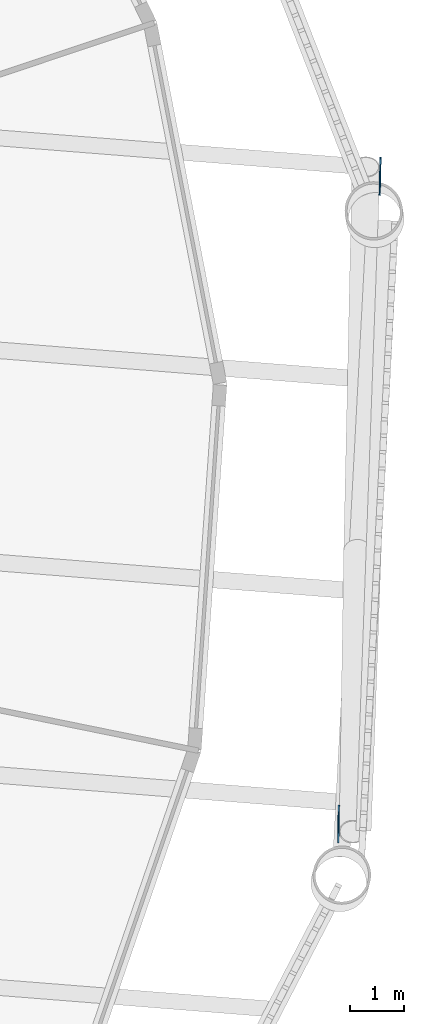
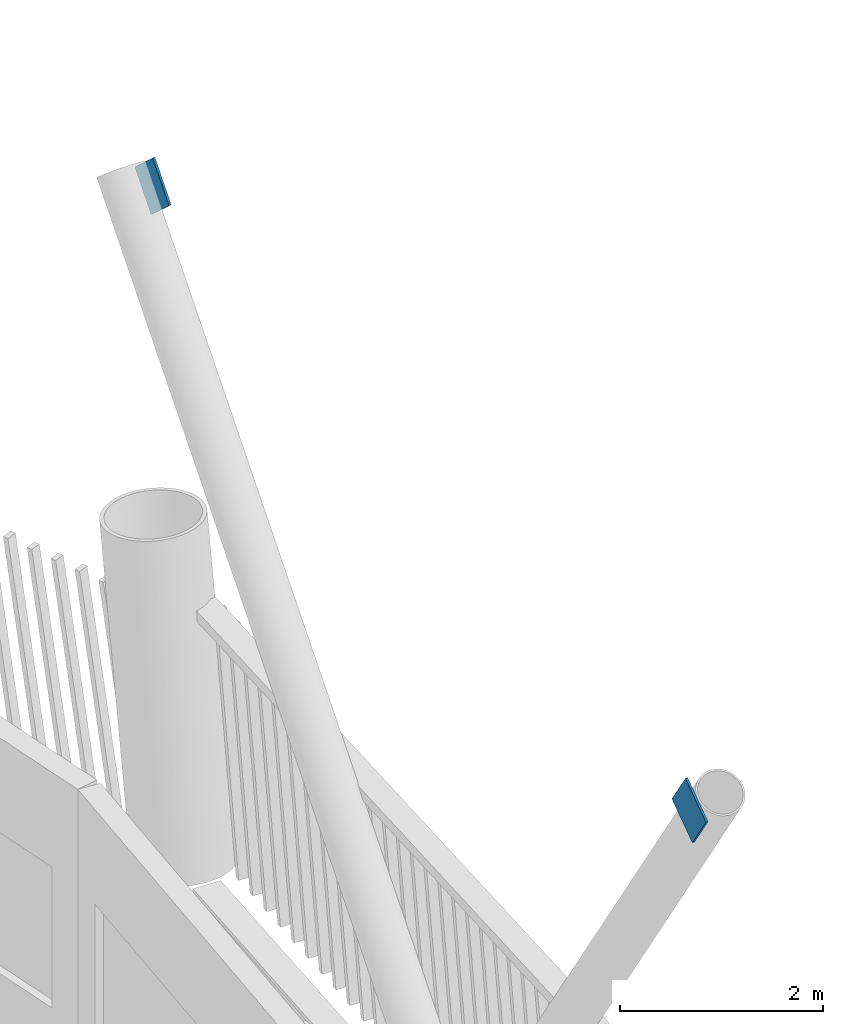
# One storey, part 12 of 21: 2 discrete accessories.
"""IFC4 building model written with IfcOpenShell, lengths in metres."""

from ifc_helpers import new_model, si_unit, direction, frame, origin, origin_2d, place, context, subcontext, project, spatial, rectangle, extrude, material, material_profile, profile_set, type_object, element, save


model = new_model("IFC4")

# Units and contexts
model_context = context("Model", 3, precision=1e-05, world=origin(), true_north=direction((0.0, 1.0)))
body_context = subcontext(model_context, "Body", "Model", "MODEL_VIEW")
ifc_project = project(units=[si_unit("LENGTHUNIT", "METRE"), si_unit("AREAUNIT", "SQUARE_METRE"), si_unit("VOLUMEUNIT", "CUBIC_METRE"), si_unit("PLANEANGLEUNIT", "RADIAN"), si_unit("MASSUNIT", "GRAM", prefix="KILO")], contexts=[model_context])

# Site, building, storey
site_placement = place(None, origin())
site = spatial("IfcSite", under=ifc_project, at=site_placement, CompositionType="ELEMENT")
building_placement = place(site_placement, origin())
building = spatial("IfcBuilding", under=site, at=building_placement, Name="Tarsis Ring Headquarters", CompositionType="ELEMENT")
storey_placement = place(building_placement, frame((0.0, 0.0, 208.199951171875)))
storey = spatial("IfcBuildingStorey", under=building, at=storey_placement, Name="L48", CompositionType="ELEMENT", Elevation=208.199951171875)

# Discrete accessories
ifc_material = material(Name="Structural steel S355", Category="steel")
ifc_material_profile = material_profile(ifc_material, rectangle(XDim=0.02490234375, YDim=0.5, at=origin_2d()), Name="PL 25x500")
ifc_profile_set = profile_set([ifc_material_profile], Name="Structural steel S355")
discrete_accessory_type = type_object("IfcDiscreteAccessoryType", Name="Gusset plate Exo brace 25", PredefinedType="BRACKET", material=ifc_profile_set)
for number, where, z_axis, x_axis, name in (
    (1, (28.775634765625, 5.565673828125, 7.800048828125), (-0.014646236001, -0.67177402456, -0.740611333763), (0.999762413997, -0.021797145654, 0.0), "Gusset plate GP5"),
    (2, (28.004638671875, -6.6708984375, 7.800048828125), (0.009275873192, 0.55264676071, -0.833363975735), (-0.999859170835, 0.016782088556, 0.0), "Gusset plate GP5"),
):
    element("IfcDiscreteAccessory", number, at=place(storey_placement, frame(where, z_axis=z_axis, x_axis=x_axis)), inside=storey, type_object=discrete_accessory_type, Name=name, PredefinedType="BRACKET", context=body_context, shape_type="SweptSolid", body=[
        extrude(rectangle(XDim=0.02490234375, YDim=0.5, at=origin_2d()), origin(), (0.0, 0.0, 1.0), 0.5),
    ])

save(model, "model.ifc")
